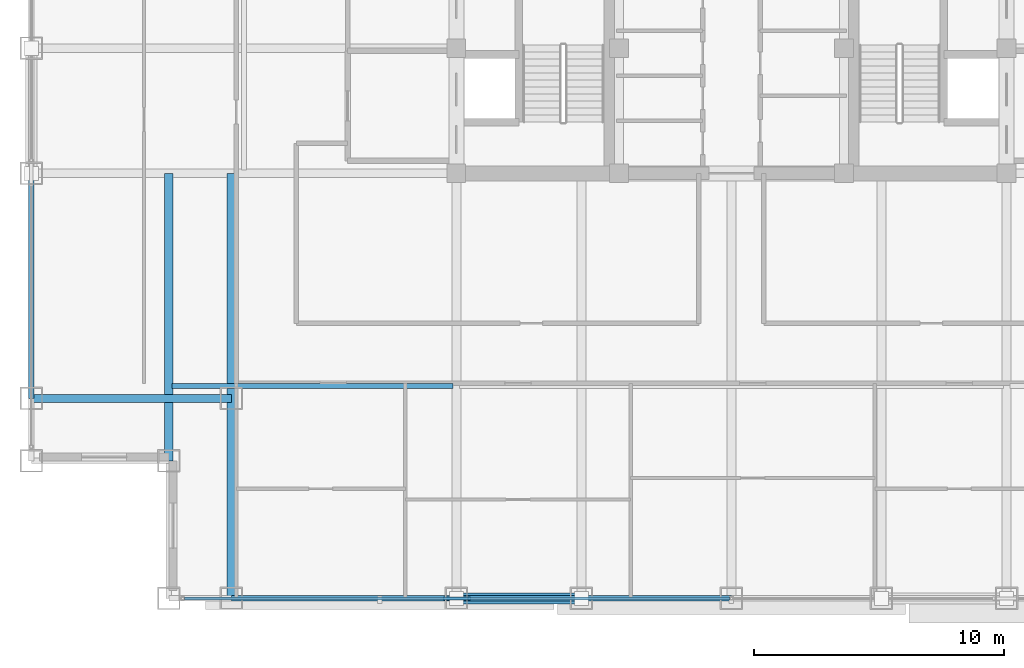
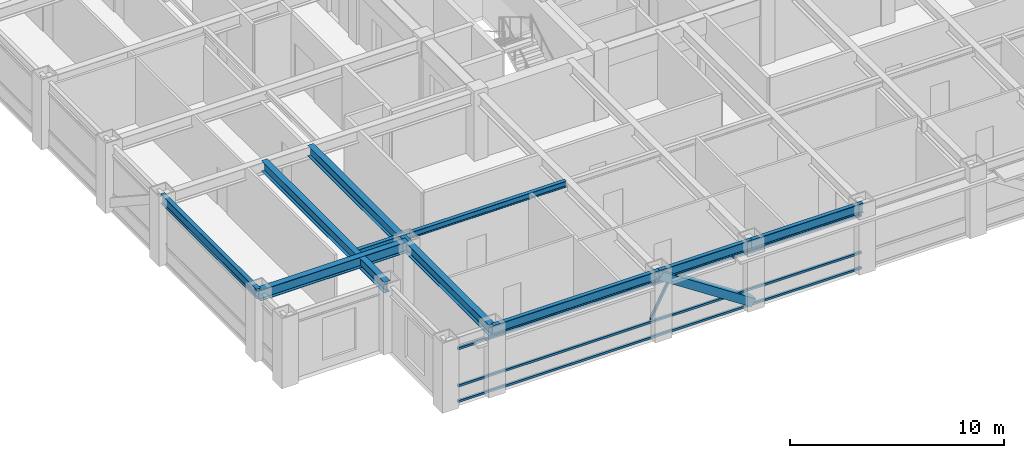
# One storey, part 3 of 27: 8 beams, 5 members, 1 element without a shape of its own.
"""IFC4 building model written with IfcOpenShell, lengths in metres."""

from ifc_helpers import new_model, si_unit, direction, frame, origin, origin_2d, place, context, subcontext, project, spatial, hollow_rectangle, i_section, extrude, source, transform, mapped, material, material_profile, profile_set, type_object, element, aggregate, save


model = new_model("IFC4")

# Units and contexts
model_context = context("Model", 3, precision=1e-05, world=origin(), true_north=direction((0.0, 1.0)))
body_context = subcontext(model_context, "Body", "Model", "MODEL_VIEW")
ifc_project = project(units=[si_unit("LENGTHUNIT", "METRE"), si_unit("AREAUNIT", "SQUARE_METRE"), si_unit("VOLUMEUNIT", "CUBIC_METRE"), si_unit("PLANEANGLEUNIT", "RADIAN"), si_unit("MASSUNIT", "GRAM", prefix="KILO")], contexts=[model_context])

# Site, building, storey
site_placement = place(None, origin())
site = spatial("IfcSite", under=ifc_project, at=site_placement, CompositionType="ELEMENT")
building_placement = place(site_placement, origin())
building = spatial("IfcBuilding", under=site, at=building_placement, Name="Khorayat Bourse Tower", CompositionType="ELEMENT")
storey_placement = place(building_placement, frame((0.0, 0.0, 281.5)))
storey = spatial("IfcBuildingStorey", under=building, at=storey_placement, Name="L66", CompositionType="ELEMENT", Elevation=281.5)

# Beam
ifc_material_1 = material(Name="Steel ASTM A992 Grade 50", Category="steel")
ifc_material_profile_1 = material_profile(ifc_material_1, i_section(OverallWidth=0.324951171875, OverallDepth=0.615966796875, WebThickness=0.013916015625, FlangeThickness=0.021484375, FilletRadius=0.01611328125, at=origin_2d()), Name="W610X174")
ifc_profile_set_1 = profile_set([ifc_material_profile_1], Name="Steel ASTM A992 Grade 50")
beam_type_1 = type_object("IfcBeamType", Name="BM-GIRD-610", PredefinedType="BEAM", material=ifc_profile_set_1)
shared_shape_1 = source(origin(), body_context, "Body", "SweptSolid", [
    extrude(i_section(OverallWidth=0.324951171875, OverallDepth=0.615966796875, WebThickness=0.013916015625, FlangeThickness=0.021484375, FilletRadius=0.01611328125, at=origin_2d()), origin(), (0.0, 0.0, 1.0), 17.0),
])
beam_1_placement = place(storey_placement, frame((-20.0, -28.0, 3.471923828125), z_axis=(0.0, 1.0, 0.0), x_axis=(-1.0, 0.0, 0.0)))
element("IfcBeam", 1, at=beam_1_placement, inside=storey, type_object=beam_type_1, Name="L66 BM-GIRD-610 BM-L66-CNRY-084", PredefinedType="BEAM", context=body_context, shape_type="MappedRepresentation", body=[
    mapped(shared_shape_1, transform((0.0, 0.0, 0.0), scale=1.0)),
])

# Member
ifc_material_2 = material(Name="Steel EN 10025-4 S460M", Category="steel")
ifc_material_profile_2 = material_profile(ifc_material_2, hollow_rectangle(XDim=0.449951171875, YDim=0.449951171875, WallThickness=0.02490234375, at=origin_2d()), Name="HSS 450x450x25")
ifc_profile_set_2 = profile_set([ifc_material_profile_2], Name="Steel EN 10025-4 S460M")
member_type_1 = type_object("IfcMemberType", Name="MBR-TUBE-450", PredefinedType="BRACE", material=ifc_profile_set_2)
shared_shape_2 = source(origin(), body_context, "Body", "SweptSolid", [
    extrude(hollow_rectangle(XDim=0.449951171875, YDim=0.449951171875, WallThickness=0.02490234375, at=origin_2d()), origin(), (0.0, 0.0, 1.0), 5.979736328125),
])
member_1_placement = place(storey_placement, frame((-11.0, -28.0, 3.530029296875), z_axis=(0.836141536525, 0.0, -0.548513747227), x_axis=(0.0, 1.0, 0.0)))
element("IfcMember", 2, at=member_1_placement, inside=storey, type_object=member_type_1, Name="L66 Perimeter Tube Brace 01", PredefinedType="BRACE", context=body_context, shape_type="MappedRepresentation", body=[
    mapped(shared_shape_2, transform((0.0, 0.0, 0.0), scale=1.0)),
])

# Beams
shared_shape_3 = source(origin(), body_context, "Body", "SweptSolid", [
    extrude(i_section(OverallWidth=0.324951171875, OverallDepth=0.615966796875, WebThickness=0.013916015625, FlangeThickness=0.021484375, FilletRadius=0.01611328125, at=origin_2d()), origin(), (0.0, 0.0, 1.0), 11.5),
])
beam_2_placement = place(storey_placement, frame((-22.5, -22.5, 3.471923828125), z_axis=(0.0, 1.0, 0.0), x_axis=(-1.0, 0.0, 0.0)))
element("IfcBeam", 3, at=beam_2_placement, inside=storey, type_object=beam_type_1, Name="L66 BM-GIRD-610 BM-L66-CNRY-088", PredefinedType="BEAM", context=body_context, shape_type="MappedRepresentation", body=[
    mapped(shared_shape_3, transform((0.0, 0.0, 0.0), scale=1.0)),
])
shared_shape_4 = source(origin(), body_context, "Body", "SweptSolid", [
    extrude(i_section(OverallWidth=0.324951171875, OverallDepth=0.615966796875, WebThickness=0.013916015625, FlangeThickness=0.021484375, FilletRadius=0.01611328125, at=origin_2d()), origin(), (0.0, 0.0, 1.0), 8.0),
])
beam_3_placement = place(storey_placement, frame((-28.0, -20.0, 3.471923828125), z_axis=(1.0, 0.0, 0.0), x_axis=(0.0, 1.0, 0.0)))
element("IfcBeam", 4, at=beam_3_placement, inside=storey, type_object=beam_type_1, Name="L66 BM-GIRD-610 BM-L66-CNRX-093", PredefinedType="BEAM", context=body_context, shape_type="MappedRepresentation", body=[
    mapped(shared_shape_4, transform((0.0, 0.0, 0.0), scale=1.0)),
])
ifc_material_profile_3 = material_profile(ifc_material_1, i_section(OverallWidth=0.202880859375, OverallDepth=0.346923828125, WebThickness=0.0078125, FlangeThickness=0.013427734375, FilletRadius=0.010009765625, at=origin_2d()), Name="W360X64")
ifc_profile_set_3 = profile_set([ifc_material_profile_3], Name="Steel ASTM A992 Grade 50")
beam_type_2 = type_object("IfcBeamType", Name="BM-JOIST-360", PredefinedType="JOIST", material=ifc_profile_set_3)
shared_shape_5 = source(origin(), body_context, "Body", "SweptSolid", [
    extrude(i_section(OverallWidth=0.202880859375, OverallDepth=0.346923828125, WebThickness=0.0078125, FlangeThickness=0.013427734375, FilletRadius=0.010009765625, at=origin_2d()), origin(), (0.0, 0.0, 1.0), 11.240234375),
])
beam_4_placement = place(storey_placement, frame((-22.3701171875, -19.5, 3.6064453125), z_axis=(1.0, 0.0, 0.0), x_axis=(0.0, 1.0, 0.0)))
element("IfcBeam", 5, at=beam_4_placement, inside=storey, type_object=beam_type_2, Name="L66 BM-JOIST-360 BM-L66-JSTX-096", PredefinedType="JOIST", context=body_context, shape_type="MappedRepresentation", body=[
    mapped(shared_shape_5, transform((0.0, 0.0, 0.0), scale=1.0)),
])
ifc_material_profile_4 = material_profile(ifc_material_1, i_section(OverallWidth=0.214111328125, OverallDepth=0.549072265625, WebThickness=0.0146484375, FlangeThickness=0.023681640625, FilletRadius=0.013916015625, at=origin_2d()), Name="W530X138")
ifc_profile_set_4 = profile_set([ifc_material_profile_4], Name="Steel ASTM A992 Grade 50")
beam_type_3 = type_object("IfcBeamType", Name="BM-SPAN-530", PredefinedType="SPANDREL", material=ifc_profile_set_4)
shared_shape_6 = source(origin(), body_context, "Body", "SweptSolid", [
    extrude(i_section(OverallWidth=0.214111328125, OverallDepth=0.549072265625, WebThickness=0.0146484375, FlangeThickness=0.023681640625, FilletRadius=0.013916015625, at=origin_2d()), origin(), (0.0, 0.0, 1.0), 9.0),
])
for number, where, z_axis, x_axis, name in (
    (6, (-20.0, -28.0, 3.505615234375), (1.0, 0.0, 0.0), (0.0, 1.0, 0.0), "L66 BM-SPAN-530 BM-L66-SPN-025"),
    (7, (-28.0, -20.0, 3.505615234375), (0.0, 1.0, 0.0), (-1.0, 0.0, 0.0), "L66 BM-SPAN-530 BM-L66-SPN-060"),
):
    element("IfcBeam", number, at=place(storey_placement, frame(where, z_axis=z_axis, x_axis=x_axis)), inside=storey, type_object=beam_type_3, Name=name, PredefinedType="SPANDREL", context=body_context, shape_type="MappedRepresentation", body=[
        mapped(shared_shape_6, transform((0.0, 0.0, 0.0), scale=1.0)),
    ])
shared_shape_7 = source(origin(), body_context, "Body", "SweptSolid", [
    extrude(i_section(OverallWidth=0.214111328125, OverallDepth=0.549072265625, WebThickness=0.0146484375, FlangeThickness=0.023681640625, FilletRadius=0.013916015625, at=origin_2d()), origin(), (0.0, 0.0, 1.0), 5.0),
])
beam_5_placement = place(storey_placement, frame((-11.0, -28.0, 3.505615234375), z_axis=(1.0, 0.0, 0.0), x_axis=(0.0, 1.0, 0.0)))
element("IfcBeam", 8, at=beam_5_placement, inside=storey, type_object=beam_type_3, Name="L66 BM-SPAN-530 BM-L66-SPN-026", PredefinedType="SPANDREL", context=body_context, shape_type="MappedRepresentation", body=[
    mapped(shared_shape_7, transform((0.0, 0.0, 0.0), scale=1.0)),
])
shared_shape_8 = source(origin(), body_context, "Body", "SweptSolid", [
    extrude(i_section(OverallWidth=0.214111328125, OverallDepth=0.549072265625, WebThickness=0.0146484375, FlangeThickness=0.023681640625, FilletRadius=0.013916015625, at=origin_2d()), origin(), (0.0, 0.0, 1.0), 6.0),
])
beam_6_placement = place(storey_placement, frame((-6.0, -28.0, 3.505615234375), z_axis=(1.0, 0.0, 0.0), x_axis=(0.0, 1.0, 0.0)))
element("IfcBeam", 9, at=beam_6_placement, inside=storey, type_object=beam_type_3, Name="L66 BM-SPAN-530 BM-L66-SPN-027", PredefinedType="SPANDREL", context=body_context, shape_type="MappedRepresentation", body=[
    mapped(shared_shape_8, transform((0.0, 0.0, 0.0), scale=1.0)),
])

# Curtain wall, members
ifc_material_3 = material(Name="Aluminium EN AW-6063 T6", Category="aluminium")
curtain_wall_type = type_object("IfcCurtainWallType", Name="CW-SYS-04", PredefinedType="NOTDEFINED", material=ifc_material_3)
curtain_wall_placement = place(storey_placement, origin())
curtain_wall = element("IfcCurtainWall", 10, at=curtain_wall_placement, inside=storey, type_object=curtain_wall_type, Name="L66 Curtain Wall CW-L66-S1", PredefinedType="NOTDEFINED")
ifc_material_profile_5 = material_profile(ifc_material_3, hollow_rectangle(XDim=0.1201171875, YDim=0.1201171875, WallThickness=0.0048828125, at=origin_2d()), Name="ALU 120x120x5")
ifc_profile_set_5 = profile_set([ifc_material_profile_5], Name="Aluminium EN AW-6063 T6")
member_type_2 = type_object("IfcMemberType", Name="CWM-DIAG-120", PredefinedType="MULLION", material=ifc_profile_set_5)
shared_shape_9 = source(origin(), body_context, "Body", "SweptSolid", [
    extrude(hollow_rectangle(XDim=0.1201171875, YDim=0.1201171875, WallThickness=0.0048828125, at=origin_2d()), origin(), (0.0, 0.0, 1.0), 2.0791015625),
])
member_2_placement = place(storey_placement, frame((-11.4541015625, -28.0, 1.090087890625), z_axis=(0.465717394116, 0.0, 0.884933505309), x_axis=(0.0, 1.0, 0.0)))
member_2 = element("IfcMember", 11, at=member_2_placement, type_object=member_type_2, Name="CW-L66-S1 Faceted Diagonal Mullion 1", PredefinedType="MULLION", context=body_context, shape_type="MappedRepresentation", body=[
    mapped(shared_shape_9, transform((0.0, 0.0, 0.0), scale=1.0)),
])
ifc_material_profile_6 = material_profile(ifc_material_3, hollow_rectangle(XDim=0.1201171875, YDim=0.1201171875, WallThickness=0.0048828125, at=origin_2d()), Name="ALU 120x120x5")
ifc_profile_set_6 = profile_set([ifc_material_profile_6], Name="Aluminium EN AW-6063 T6")
member_type_3 = type_object("IfcMemberType", Name="CWT-HORZ-120", PredefinedType="USERDEFINED", material=ifc_profile_set_6)
shared_shape_10 = source(origin(), body_context, "Body", "SweptSolid", [
    extrude(hollow_rectangle(XDim=0.1201171875, YDim=0.1201171875, WallThickness=0.0048828125, at=origin_2d()), origin(), (0.0, 0.0, 1.0), 21.81982421875),
])
member_3_placement = place(storey_placement, frame((-21.8798828125, -28.0, 0.06005859375), z_axis=(1.0, 0.0, 0.0), x_axis=(0.0, 1.0, 0.0)))
member_3 = element("IfcMember", 12, at=member_3_placement, type_object=member_type_3, Name="CW-L66-S1 Horizontal Transom 1-1", ObjectType="TRANSOM", PredefinedType="USERDEFINED", context=body_context, shape_type="MappedRepresentation", body=[
    mapped(shared_shape_10, transform((0.0, 0.0, 0.0), scale=1.0)),
])
member_4_placement = place(storey_placement, frame((-21.8798828125, -28.0, 0.949951171875), z_axis=(1.0, 0.0, 0.0), x_axis=(0.0, 1.0, 0.0)))
member_4 = element("IfcMember", 13, at=member_4_placement, type_object=member_type_3, Name="CW-L66-S1 Horizontal Transom 1-2", ObjectType="TRANSOM", PredefinedType="USERDEFINED", context=body_context, shape_type="MappedRepresentation", body=[
    mapped(shared_shape_10, transform((0.0, 0.0, 0.0), scale=1.0)),
])
member_5_placement = place(storey_placement, frame((-21.8798828125, -28.0, 3.070068359375), z_axis=(1.0, 0.0, 0.0), x_axis=(0.0, 1.0, 0.0)))
member_5 = element("IfcMember", 14, at=member_5_placement, type_object=member_type_3, Name="CW-L66-S1 Horizontal Transom 1-3", ObjectType="TRANSOM", PredefinedType="USERDEFINED", context=body_context, shape_type="MappedRepresentation", body=[
    mapped(shared_shape_10, transform((0.0, 0.0, 0.0), scale=1.0)),
])
aggregate(curtain_wall, [member_3, member_4, member_5, member_2])

save(model, "model.ifc")
